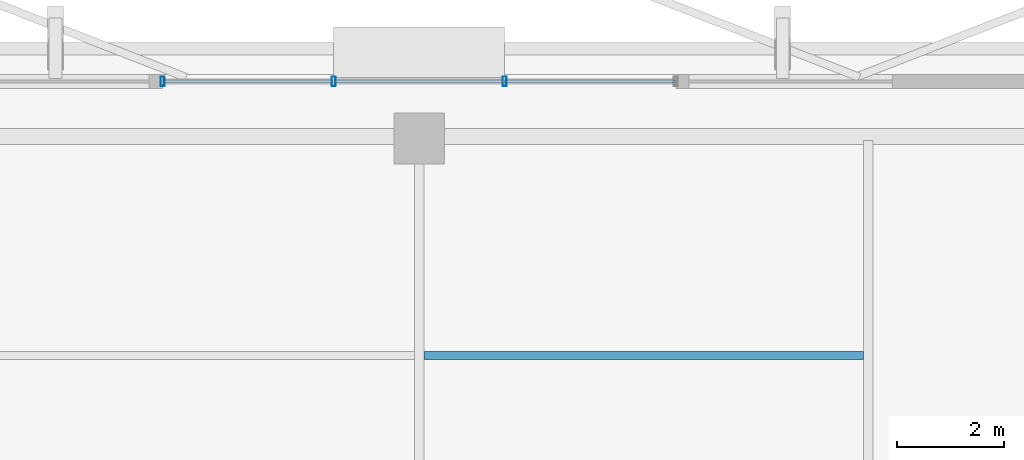
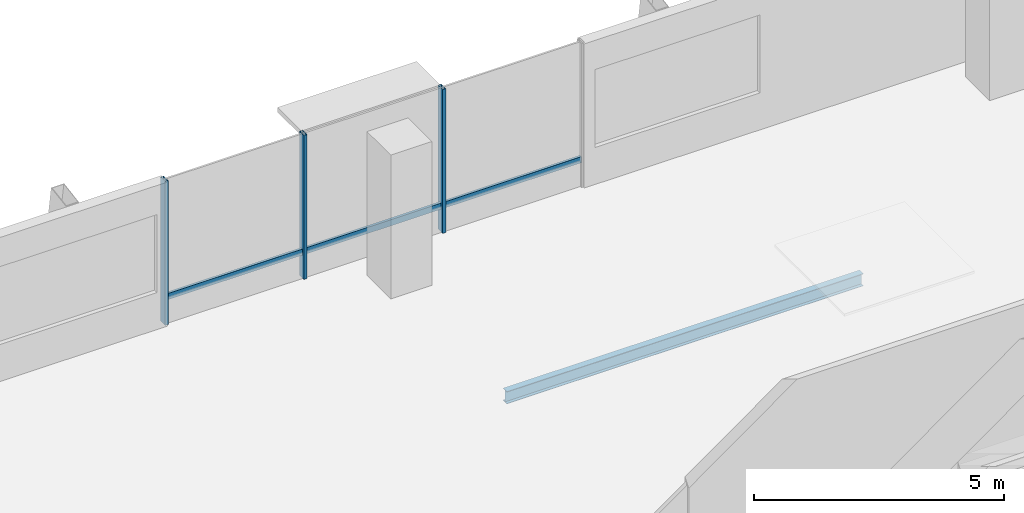
# One storey, part 16 of 26: 6 members, 1 beam, 1 element without a shape of its own.
"""IFC4 building model written with IfcOpenShell, lengths in metres."""

from ifc_helpers import new_model, si_unit, direction, frame, origin, origin_2d, place, context, subcontext, project, spatial, hollow_rectangle, i_section, extrude, material, layer, layer_set, material_profile, profile_set, type_object, element, aggregate, save


model = new_model("IFC4")

# Units and contexts
model_context = context("Model", 3, precision=1e-05, world=origin(), true_north=direction((0.0, 1.0)))
body_context = subcontext(model_context, "Body", "Model", "MODEL_VIEW")
ifc_project = project(units=[si_unit("LENGTHUNIT", "METRE"), si_unit("AREAUNIT", "SQUARE_METRE"), si_unit("VOLUMEUNIT", "CUBIC_METRE"), si_unit("PLANEANGLEUNIT", "RADIAN"), si_unit("MASSUNIT", "GRAM", prefix="KILO")], contexts=[model_context])

# Site, building, storey
site_placement = place(None, origin())
site = spatial("IfcSite", under=ifc_project, at=site_placement, CompositionType="ELEMENT")
building_placement = place(site_placement, origin())
building = spatial("IfcBuilding", under=site, at=building_placement, Name="Belovzor Exchange Tower", CompositionType="ELEMENT")
storey_placement = place(building_placement, frame((0.0, 0.0, 295.5)))
storey = spatial("IfcBuildingStorey", under=building, at=storey_placement, Name="L73", CompositionType="ELEMENT", Elevation=295.5)

# Beam
ifc_material_1 = material(Name="Steel S355", Category="steel")
ifc_material_profile_1 = material_profile(ifc_material_1, i_section(OverallWidth=0.14990234375, OverallDepth=0.300048828125, WebThickness=0.007080078125, FlangeThickness=0.0107421875, at=origin_2d()))
ifc_profile_set_1 = profile_set([ifc_material_profile_1], Name="Steel S355")
beam_type = type_object("IfcBeamType", Name="Secondary Trim Floor Joist IPE 300", PredefinedType="BEAM", material=ifc_profile_set_1)
beam_placement = place(storey_placement, frame((28.889892578125, 46.343994140625, -0.389892578125), z_axis=(1.0, 0.0, 0.0), x_axis=(0.0, 1.0, 0.0)))
element("IfcBeam", 1, at=beam_placement, inside=storey, type_object=beam_type, Name="FJ-300 Secondary Trim Floor Joist IPE 300", PredefinedType="BEAM", context=body_context, shape_type="SweptSolid", body=[
    extrude(i_section(OverallWidth=0.14990234375, OverallDepth=0.300048828125, WebThickness=0.007080078125, FlangeThickness=0.0107421875, at=origin_2d()), origin(), (0.0, 0.0, 1.0), 8.22021484375),
])

# Curtain wall, members
ifc_material_2 = material(Name="Anodised Aluminium Framing", Category="aluminium")
ifc_layer = layer(ifc_material_2, 0.179931640625)
ifc_layer_set = layer_set([ifc_layer], Name="Anodised Aluminium Framing")
curtain_wall_type = type_object("IfcCurtainWallType", Name="Recessed Loggia Low-Iron Triple-Glazed Curtain Wall", PredefinedType="NOTDEFINED", material=ifc_layer_set)
curtain_wall_placement = place(storey_placement, origin())
curtain_wall = element("IfcCurtainWall", 2, at=curtain_wall_placement, inside=storey, type_object=curtain_wall_type, Name="CW3 Recessed Loggia Low-Iron Triple-Glazed Curtain Wall L73", PredefinedType="NOTDEFINED")
ifc_material_3 = material(Name="Steel S355", Category="steel")
ifc_material_profile_2 = material_profile(ifc_material_3, hollow_rectangle(XDim=0.074951171875, YDim=0.179931640625, WallThickness=0.0048828125, at=origin_2d()))
ifc_profile_set_2 = profile_set([ifc_material_profile_2], Name="Steel S355")
member_type_1 = type_object("IfcMemberType", Name="Thermally Broken Curtain Wall Mullion 180x75", PredefinedType="MULLION", material=ifc_profile_set_2)
member_1_placement = place(storey_placement, frame((24.0, 51.469970703125, 0.0), z_axis=(0.0, 0.0, 1.0), x_axis=(1.0, 0.0, 0.0)))
member_1 = element("IfcMember", 3, at=member_1_placement, type_object=member_type_1, Name="CW-M180 Curtain Wall Mullion 1", PredefinedType="MULLION", context=body_context, shape_type="SweptSolid", body=[
    extrude(hollow_rectangle(XDim=0.074951171875, YDim=0.179931640625, WallThickness=0.0048828125, at=origin_2d()), origin(), (0.0, 0.0, 1.0), 3.510009765625),
])
member_2_placement = place(storey_placement, frame((27.199951171875, 51.469970703125, 0.0), z_axis=(0.0, 0.0, 1.0), x_axis=(1.0, 0.0, 0.0)))
member_2 = element("IfcMember", 4, at=member_2_placement, type_object=member_type_1, Name="CW-M180 Curtain Wall Mullion 2", PredefinedType="MULLION", context=body_context, shape_type="SweptSolid", body=[
    extrude(hollow_rectangle(XDim=0.074951171875, YDim=0.179931640625, WallThickness=0.0048828125, at=origin_2d()), origin(), (0.0, 0.0, 1.0), 3.510009765625),
])
member_3_placement = place(storey_placement, frame((30.39990234375, 51.469970703125, 0.0), z_axis=(0.0, 0.0, 1.0), x_axis=(1.0, 0.0, 0.0)))
member_3 = element("IfcMember", 5, at=member_3_placement, type_object=member_type_1, Name="CW-M180 Curtain Wall Mullion 3", PredefinedType="MULLION", context=body_context, shape_type="SweptSolid", body=[
    extrude(hollow_rectangle(XDim=0.074951171875, YDim=0.179931640625, WallThickness=0.0048828125, at=origin_2d()), origin(), (0.0, 0.0, 1.0), 3.510009765625),
])
ifc_material_4 = material(Name="Steel S355", Category="steel")
ifc_material_profile_3 = material_profile(ifc_material_4, hollow_rectangle(XDim=0.06005859375, YDim=0.14990234375, WallThickness=0.00390625, at=origin_2d()))
ifc_profile_set_3 = profile_set([ifc_material_profile_3], Name="Steel S355")
member_type_2 = type_object("IfcMemberType", Name="Thermally Broken Curtain Wall Transom 150x60", PredefinedType="USERDEFINED", material=ifc_profile_set_3)
member_4_placement = place(storey_placement, frame((24.008056640625, 51.469970703125, 0.632080078125), z_axis=(1.0, 0.0, 0.0), x_axis=(0.0, 1.0, 0.0)))
member_4 = element("IfcMember", 6, at=member_4_placement, type_object=member_type_2, Name="CW-T150 Curtain Wall Transom 1", ObjectType="TRANSOM", PredefinedType="USERDEFINED", context=body_context, shape_type="SweptSolid", body=[
    extrude(hollow_rectangle(XDim=0.06005859375, YDim=0.14990234375, WallThickness=0.00390625, at=origin_2d()), origin(), (0.0, 0.0, 1.0), 3.183837890625),
])
member_5_placement = place(storey_placement, frame((27.2080078125, 51.469970703125, 0.632080078125), z_axis=(1.0, 0.0, 0.0), x_axis=(0.0, 1.0, 0.0)))
member_5 = element("IfcMember", 7, at=member_5_placement, type_object=member_type_2, Name="CW-T150 Curtain Wall Transom 2", ObjectType="TRANSOM", PredefinedType="USERDEFINED", context=body_context, shape_type="SweptSolid", body=[
    extrude(hollow_rectangle(XDim=0.06005859375, YDim=0.14990234375, WallThickness=0.00390625, at=origin_2d()), origin(), (0.0, 0.0, 1.0), 3.18408203125),
])
member_6_placement = place(storey_placement, frame((30.407958984375, 51.469970703125, 0.632080078125), z_axis=(1.0, 0.0, 0.0), x_axis=(0.0, 1.0, 0.0)))
member_6 = element("IfcMember", 8, at=member_6_placement, type_object=member_type_2, Name="CW-T150 Curtain Wall Transom 3", ObjectType="TRANSOM", PredefinedType="USERDEFINED", context=body_context, shape_type="SweptSolid", body=[
    extrude(hollow_rectangle(XDim=0.06005859375, YDim=0.14990234375, WallThickness=0.00390625, at=origin_2d()), origin(), (0.0, 0.0, 1.0), 3.18408203125),
])
aggregate(curtain_wall, [member_1, member_2, member_3, member_4, member_5, member_6])

save(model, "model.ifc")
